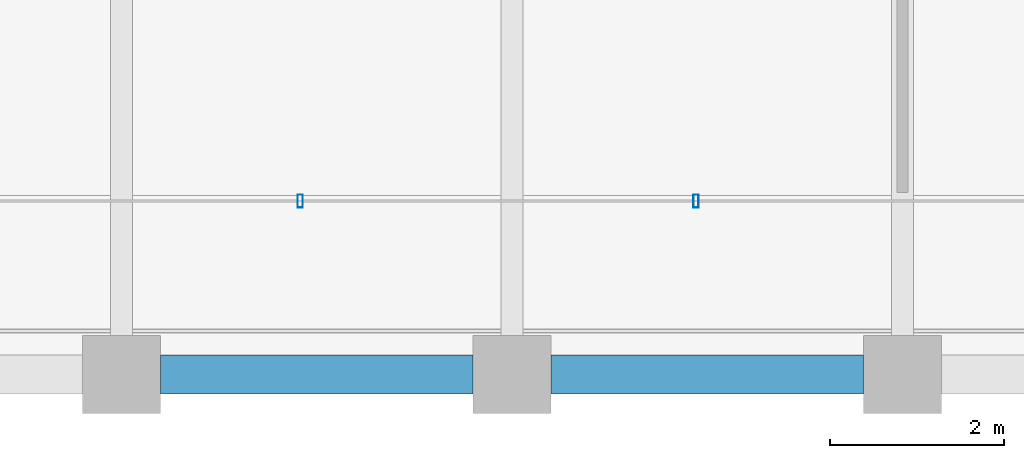
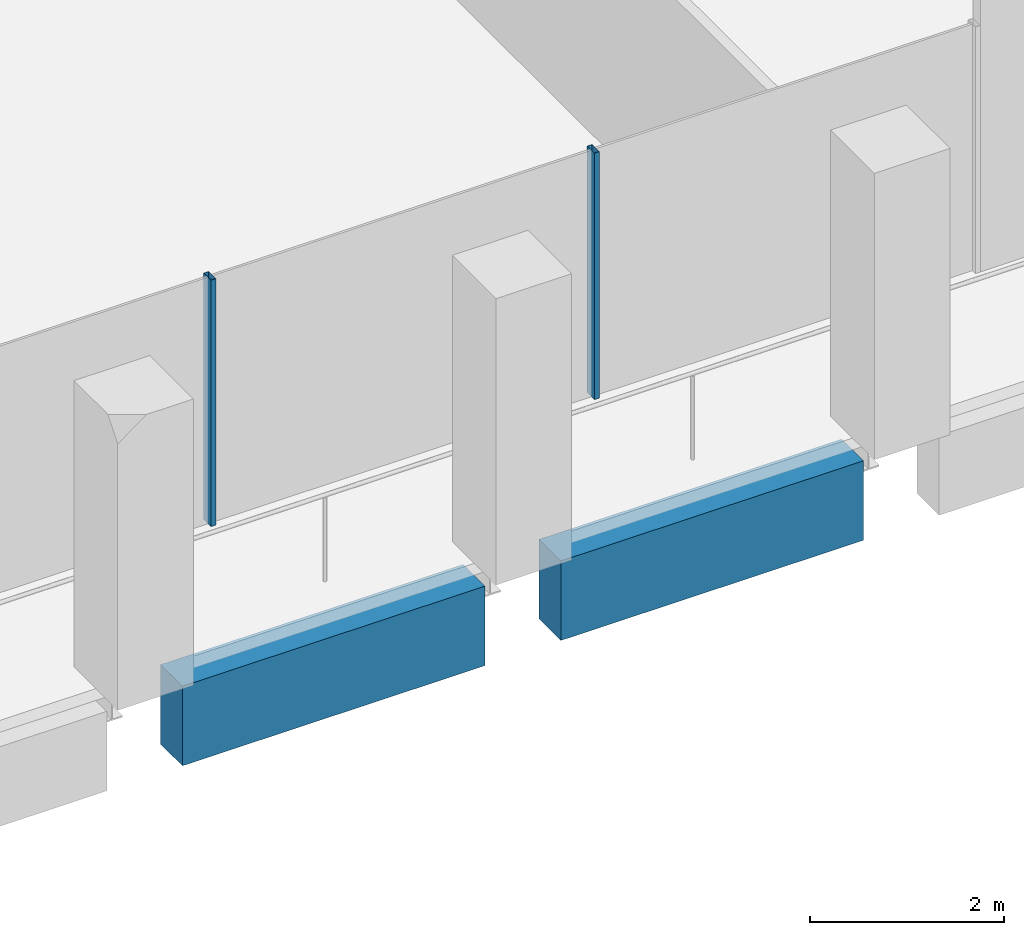
# One storey, part 3 of 40: 2 beams, 2 members, 1 element without a shape of its own.
"""IFC4 building model written with IfcOpenShell, lengths in metres."""

from ifc_helpers import new_model, si_unit, direction, frame, origin, origin_2d, place, context, subcontext, project, spatial, rectangle, hollow_rectangle, extrude, material, material_profile, profile_set, type_object, element, aggregate, save


model = new_model("IFC4")

# Units and contexts
model_context = context("Model", 3, precision=1e-05, world=origin(), true_north=direction((0.0, 1.0)))
body_context = subcontext(model_context, "Body", "Model", "MODEL_VIEW")
ifc_project = project(units=[si_unit("LENGTHUNIT", "METRE"), si_unit("AREAUNIT", "SQUARE_METRE"), si_unit("VOLUMEUNIT", "CUBIC_METRE"), si_unit("PLANEANGLEUNIT", "RADIAN"), si_unit("MASSUNIT", "GRAM", prefix="KILO")], contexts=[model_context])

# Site, building, storey
site_placement = place(None, origin())
site = spatial("IfcSite", under=ifc_project, at=site_placement, CompositionType="ELEMENT")
building_placement = place(site_placement, origin())
building = spatial("IfcBuilding", under=site, at=building_placement, Name="Altepetl Exchange Towers", CompositionType="ELEMENT")
storey_placement = place(building_placement, frame((0.0, 0.0, 151.0)))
storey = spatial("IfcBuildingStorey", under=building, at=storey_placement, Name="L37", CompositionType="ELEMENT", Elevation=151.0)

# Curtain wall, members
ifc_material_1 = material(Name="Aluminium 6063-T6 glazing", Category="aluminium")
curtain_wall_type = type_object("IfcCurtainWallType", Name="Loggia glazing system", PredefinedType="NOTDEFINED", material=ifc_material_1)
curtain_wall_placement = place(storey_placement, origin())
curtain_wall = element("IfcCurtainWall", 1, at=curtain_wall_placement, inside=storey, type_object=curtain_wall_type, Name="CW1 run", PredefinedType="NOTDEFINED")
ifc_material_2 = material(Name="Aluminium 6063-T6", Category="aluminium")
ifc_material_profile_1 = material_profile(ifc_material_2, hollow_rectangle(XDim=0.06005859375, YDim=0.14990234375, WallThickness=0.0029296875, at=origin_2d()), Name="Mullion 60x150 aluminium")
ifc_profile_set_1 = profile_set([ifc_material_profile_1], Name="Aluminium 6063-T6")
member_type = type_object("IfcMemberType", Name="Mullion 60x150 aluminium", PredefinedType="MULLION", material=ifc_profile_set_1)
member_1_placement = place(storey_placement, frame((38.060791015625, 29.0, 0.0)))
member_1 = element("IfcMember", 2, at=member_1_placement, type_object=member_type, Name="MU1 mullion", PredefinedType="MULLION", context=body_context, shape_type="SweptSolid", body=[
    extrude(hollow_rectangle(XDim=0.06005859375, YDim=0.14990234375, WallThickness=0.0029296875, at=origin_2d()), origin(), (0.0, 0.0, 1.0), 3.10009765625),
])
member_2_placement = place(storey_placement, frame((42.621337890625, 29.0, 0.0)))
member_2 = element("IfcMember", 3, at=member_2_placement, type_object=member_type, Name="MU1 mullion", PredefinedType="MULLION", context=body_context, shape_type="SweptSolid", body=[
    extrude(hollow_rectangle(XDim=0.06005859375, YDim=0.14990234375, WallThickness=0.0029296875, at=origin_2d()), origin(), (0.0, 0.0, 1.0), 3.10009765625),
])
aggregate(curtain_wall, [member_1, member_2])

# Beams
ifc_material_3 = material(Name="Concrete C50/60 precast with cantera blanca facing", Category="concrete")
ifc_material_profile_2 = material_profile(ifc_material_3, rectangle(XDim=0.449951171875, YDim=1.0, at=origin_2d()), Name="450 x 1000")
ifc_profile_set_2 = profile_set([ifc_material_profile_2], Name="Concrete C50/60 precast with cantera blanca facing")
beam_type = type_object("IfcBeamType", Name="Spandrel beam 450x1000 cantera blanca", PredefinedType="SPANDREL", material=ifc_profile_set_2)
for number, where, z_axis, x_axis, name in (
    (4, (36.449951171875, 27.0, -0.64990234375), (1.0, 0.0, 0.0), (0.0, 1.0, 0.0), "sp:A:L37:001"),
    (5, (40.949951171875, 27.0, -0.64990234375), (1.0, 0.0, 0.0), (0.0, 1.0, 0.0), "sp:A:L37:002"),
):
    element("IfcBeam", number, at=place(storey_placement, frame(where, z_axis=z_axis, x_axis=x_axis)), inside=storey, type_object=beam_type, Name=name, PredefinedType="SPANDREL", context=body_context, shape_type="SweptSolid", body=[
        extrude(rectangle(XDim=0.449951171875, YDim=1.0, at=origin_2d()), origin(), (0.0, 0.0, 1.0), 3.60009765625),
    ])

save(model, "model.ifc")
